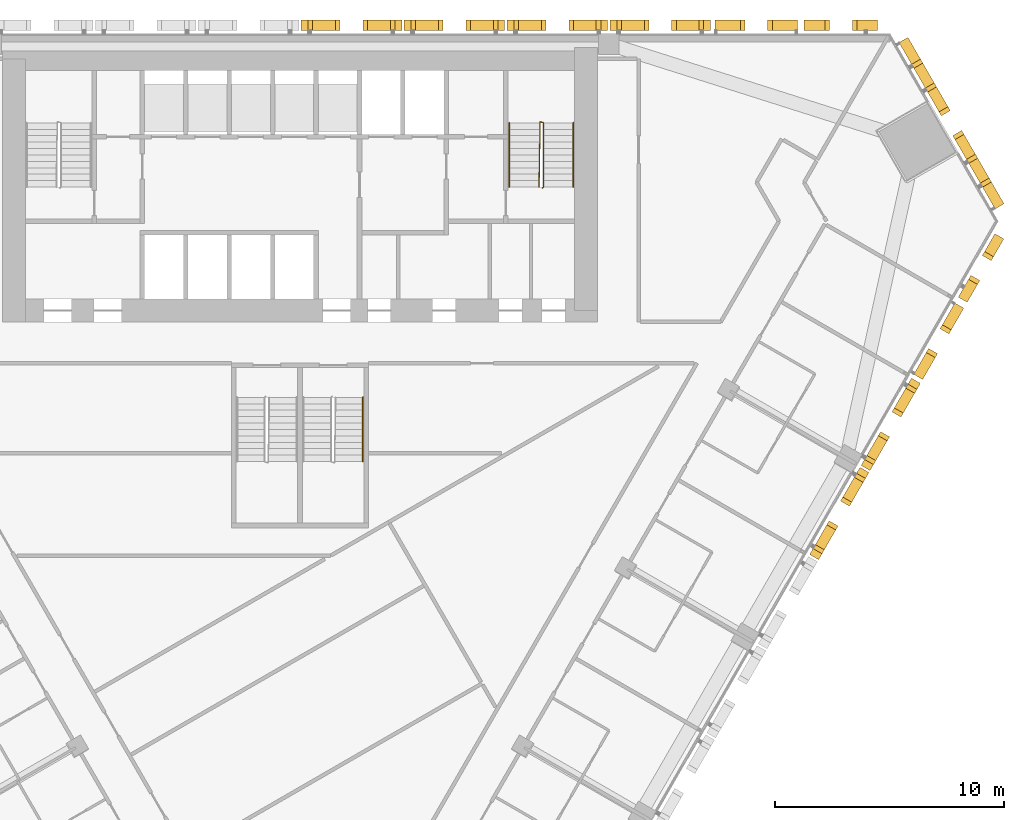
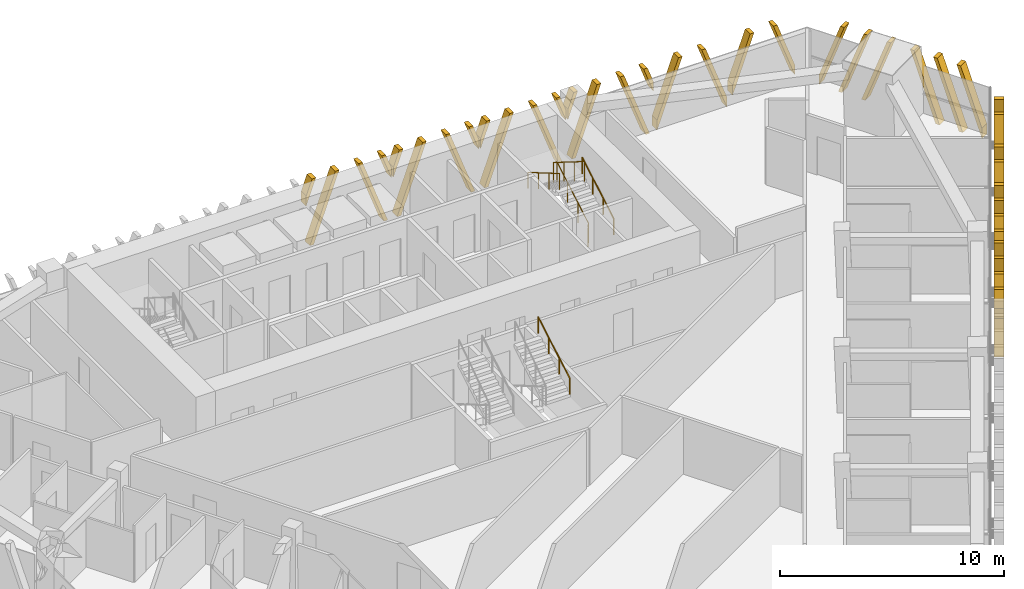
# One storey, part 16 of 17: 11 shading devices, 4 railings.
"""IFC4 building model written with IfcOpenShell, lengths in metres."""

from ifc_helpers import new_model, si_unit, direction, frame, origin, origin_2d, place, context, subcontext, project, spatial, polyline, circle, outline, extrude, source, transform, mapped, material, type_object, element, save


model = new_model("IFC4")

# Units and contexts
model_context = context("Model", 3, precision=1e-05, world=origin(), true_north=direction((0.0, 1.0)))
body_context = subcontext(model_context, "Body", "Model", "MODEL_VIEW")
ifc_project = project(units=[si_unit("LENGTHUNIT", "METRE"), si_unit("AREAUNIT", "SQUARE_METRE"), si_unit("VOLUMEUNIT", "CUBIC_METRE"), si_unit("PLANEANGLEUNIT", "RADIAN"), si_unit("MASSUNIT", "GRAM", prefix="KILO")], contexts=[model_context])

# Site, building, storey
site_placement = place(None, origin())
site = spatial("IfcSite", under=ifc_project, at=site_placement, CompositionType="ELEMENT")
building_placement = place(site_placement, origin())
building = spatial("IfcBuilding", under=site, at=building_placement, Name="Altiplano Prism Tower", CompositionType="ELEMENT")
storey_placement = place(building_placement, frame((0.0, 0.0, 52.199951171875)))
storey = spatial("IfcBuildingStorey", under=building, at=storey_placement, Name="L12", CompositionType="ELEMENT", Elevation=52.199951171875)

# Railings
ifc_material_1 = material(Name="Steel S355", Category="steel")
railing_type_1 = type_object("IfcRailingType", Name="Stair guard 1100", PredefinedType="GUARDRAIL", material=ifc_material_1)
railing_1_placement = place(storey_placement, frame((95.60009765625, 98.25, 0.0)))
element("IfcRailing", 1, at=railing_1_placement, inside=storey, type_object=railing_type_1, Name="L12 ST2 stair guard 1", PredefinedType="GUARDRAIL", context=body_context, shape_type="SweptSolid", body=[
    extrude(circle(Radius=0.02392578125, at=origin_2d()), frame((0.0, 0.0, 1.076171875), z_axis=(0.279546231943, 0.280916556609, 0.91811752648), x_axis=(-0.708833529934, 0.705375805398, 0.0)), (0.0, 0.0, 1.0), 0.17822265625),
    extrude(circle(Radius=0.02392578125, at=origin_2d()), frame((0.0498046875, 0.050048828125, 1.23974609375), z_axis=(0.0, 0.863360870873, 0.504586966384), x_axis=(-1.0, 0.0, 0.0)), (0.0, 0.0, 1.0), 3.2431640625),
    extrude(circle(Radius=0.02392578125, at=origin_2d()), frame((0.0498046875, 2.85009765625, 2.8759765625), z_axis=(-0.948991962702, 0.315300261223, 0.0), x_axis=(-0.315300261223, -0.948991962702, 0.0)), (0.0, 0.0, 1.0), 0.157958984375),
    extrude(circle(Radius=0.02392578125, at=origin_2d()), frame((-0.10009765625, 2.89990234375, 2.8759765625), z_axis=(-0.014846418356, -0.845376787675, 0.533964109957), x_axis=(0.999845825584, -0.017559187376, 0.0)), (0.0, 0.0, 1.0), 3.37109375),
    extrude(circle(Radius=0.02099609375, at=origin_2d()), origin(), (0.0, 0.0, 1.0), 1.052001953125),
    extrude(circle(Radius=0.02099609375, at=origin_2d()), frame((0.0498046875, 0.050048828125, 0.16357421875)), (0.0, 0.0, 1.0), 1.052001953125),
    extrude(circle(Radius=0.02099609375, at=origin_2d()), frame((0.0498046875, 0.9833984375, 0.708984375)), (0.0, 0.0, 1.0), 1.052001953125),
    extrude(circle(Radius=0.02099609375, at=origin_2d()), frame((0.0498046875, 1.916748046875, 1.254638671875)), (0.0, 0.0, 1.0), 1.052001953125),
    extrude(circle(Radius=0.02099609375, at=origin_2d()), frame((0.0498046875, 2.85009765625, 1.800048828125)), (0.0, 0.0, 1.0), 1.052001953125),
    extrude(circle(Radius=0.02099609375, at=origin_2d()), frame((-0.10009765625, 2.89990234375, 1.800048828125)), (0.0, 0.0, 1.0), 1.052001953125),
    extrude(circle(Radius=0.02099609375, at=origin_2d()), frame((-0.11669921875, 1.949951171875, 2.400146484375)), (0.0, 0.0, 1.0), 1.052001953125),
    extrude(circle(Radius=0.02099609375, at=origin_2d()), frame((-0.133544921875, 1.0, 3.0)), (0.0, 0.0, 1.0), 1.052001953125),
    extrude(circle(Radius=0.02099609375, at=origin_2d()), frame((-0.150146484375, 0.050048828125, 3.60009765625)), (0.0, 0.0, 1.0), 1.052001953125),
])
railing_type_2 = type_object("IfcRailingType", Name="Stair handrail 900", PredefinedType="HANDRAIL", material=ifc_material_1)
railing_2_placement = place(storey_placement, frame((96.949951171875, 98.300048828125, 0.16357421875)))
element("IfcRailing", 2, at=railing_2_placement, inside=storey, type_object=railing_type_2, Name="L12 ST2 stair handrail 1", PredefinedType="HANDRAIL", context=body_context, shape_type="SweptSolid", body=[
    extrude(circle(Radius=0.02392578125, at=origin_2d()), frame((0.0, 0.0, 0.8759765625), z_axis=(0.0, 0.863360870873, 0.504586966384), x_axis=(-1.0, 0.0, 0.0)), (0.0, 0.0, 1.0), 3.2431640625),
    extrude(circle(Radius=0.02099609375, at=origin_2d()), origin(), (0.0, 0.0, 1.0), 0.851806640625),
    extrude(circle(Radius=0.02099609375, at=origin_2d()), frame((0.0, 0.933349609375, 0.54541015625)), (0.0, 0.0, 1.0), 0.851806640625),
    extrude(circle(Radius=0.02099609375, at=origin_2d()), frame((0.0, 1.86669921875, 1.091064453125)), (0.0, 0.0, 1.0), 0.851806640625),
    extrude(circle(Radius=0.02099609375, at=origin_2d()), frame((0.0, 2.800048828125, 1.636474609375)), (0.0, 0.0, 1.0), 0.851806640625),
])
railing_3_placement = place(storey_placement, frame((94.14990234375, 101.10009765625, 1.963623046875)))
element("IfcRailing", 3, at=railing_3_placement, inside=storey, type_object=railing_type_2, Name="L12 ST2 stair handrail 2", PredefinedType="HANDRAIL", context=body_context, shape_type="SweptSolid", body=[
    extrude(circle(Radius=0.02392578125, at=origin_2d()), frame((0.0, 0.0, 0.8759765625), z_axis=(0.0, -0.863360870873, 0.504586966384), x_axis=(1.0, 0.0, 0.0)), (0.0, 0.0, 1.0), 3.2431640625),
    extrude(circle(Radius=0.02099609375, at=origin_2d()), origin(), (0.0, 0.0, 1.0), 0.851806640625),
    extrude(circle(Radius=0.02099609375, at=origin_2d()), frame((0.0, -0.933349609375, 0.54541015625)), (0.0, 0.0, 1.0), 0.851806640625),
    extrude(circle(Radius=0.02099609375, at=origin_2d()), frame((0.0, -1.86669921875, 1.091064453125)), (0.0, 0.0, 1.0), 0.851806640625),
    extrude(circle(Radius=0.02099609375, at=origin_2d()), frame((0.0, -2.800048828125, 1.636474609375)), (0.0, 0.0, 1.0), 0.851806640625),
])
railing_4_placement = place(storey_placement, frame((87.75, 86.300048828125, 1.963623046875)))
element("IfcRailing", 4, at=railing_4_placement, inside=storey, type_object=railing_type_2, Name="L12 ST3B stair handrail 2", PredefinedType="HANDRAIL", context=body_context, shape_type="SweptSolid", body=[
    extrude(circle(Radius=0.02392578125, at=origin_2d()), frame((0.0, 0.0, 0.8759765625), z_axis=(0.0, 0.863360870873, 0.504586966384), x_axis=(-1.0, 0.0, 0.0)), (0.0, 0.0, 1.0), 3.2431640625),
    extrude(circle(Radius=0.02099609375, at=origin_2d()), origin(), (0.0, 0.0, 1.0), 0.851806640625),
    extrude(circle(Radius=0.02099609375, at=origin_2d()), frame((0.0, 0.933349609375, 0.54541015625)), (0.0, 0.0, 1.0), 0.851806640625),
    extrude(circle(Radius=0.02099609375, at=origin_2d()), frame((0.0, 1.86669921875, 1.091064453125)), (0.0, 0.0, 1.0), 0.851806640625),
    extrude(circle(Radius=0.02099609375, at=origin_2d()), frame((0.0, 2.800048828125, 1.636474609375)), (0.0, 0.0, 1.0), 0.851806640625),
])

# Shading devices
ifc_material_2 = material(Name="Warm limestone cast stone", Category="masonry")
shading_device_type_1 = type_object("IfcShadingDeviceType", Name="Stone fin panel, narrow closing bay", PredefinedType="USERDEFINED", material=ifc_material_2)
shared_shape_1 = source(origin(), body_context, "Body", "SweptSolid", [
    extrude(outline(polyline([(-1.60009765625, 0.577880859375), (-0.5, 3.60009765625), (-0.699951171875, 3.60009765625), (-1.60009765625, 1.127197265625), (-1.60009765625, 0.577880859375)])), frame((0.0, -0.14990234375, 0.0), z_axis=(0.0, -1.0, 0.0), x_axis=(1.0, 0.0, 0.0)), (0.0, 0.0, 1.0), 0.4501953125),
    extrude(outline(polyline([(1.60009765625, 1.127197265625), (0.699951171875, 3.60009765625), (0.5, 3.60009765625), (1.60009765625, 0.577880859375), (1.60009765625, 1.127197265625)])), frame((0.0, -0.14990234375, 0.0), z_axis=(0.0, -1.0, 0.0), x_axis=(1.0, 0.0, 0.0)), (0.0, 0.0, 1.0), 0.4501953125),
])
shading_device_1_placement = place(storey_placement, origin())
element("IfcShadingDevice", 5, at=shading_device_1_placement, inside=storey, type_object=shading_device_type_1, Name="Fin L12 north face 1", ObjectType="FIN", PredefinedType="USERDEFINED", context=body_context, shape_type="MappedRepresentation", body=[
    mapped(shared_shape_1, transform((108.64404296875, 105.0, -0.5), x_axis=(-1.0, 0.0, 0.0), y_axis=(0.0, -1.0, 0.0), z_axis=(0.0, 0.0, 1.0))),
])
shading_device_2_placement = place(storey_placement, origin())
element("IfcShadingDevice", 6, at=shading_device_2_placement, inside=storey, type_object=shading_device_type_1, Name="Fin L12 south-east face 12", ObjectType="FIN", PredefinedType="USERDEFINED", context=body_context, shape_type="MappedRepresentation", body=[
    mapped(shared_shape_1, transform((114.448486328125, 94.946044921875, -0.5), x_axis=(0.499999990992, 0.866025408985, 0.0), y_axis=(-0.866025408985, 0.499999990992, 0.0), z_axis=(0.0, 0.0, 1.0))),
])
shading_device_type_2 = type_object("IfcShadingDeviceType", Name="Stone fin panel, standard unit", PredefinedType="USERDEFINED", material=ifc_material_2)
shared_shape_2 = source(origin(), body_context, "Body", "SweptSolid", [
    extrude(outline(polyline([(-2.199951171875, 2.226318359375), (-1.699951171875, 3.60009765625), (-1.89990234375, 3.60009765625), (-2.199951171875, 2.77587890625), (-2.199951171875, 2.226318359375)])), frame((0.0, -0.14990234375, 0.0), z_axis=(0.0, -1.0, 0.0), x_axis=(1.0, 0.0, 0.0)), (0.0, 0.0, 1.0), 0.4501953125),
    extrude(outline(polyline([(-2.01025390625, 0.0), (-1.810302734375, 0.0), (-0.5, 3.60009765625), (-0.699951171875, 3.60009765625), (-2.01025390625, 0.0)])), frame((0.0, -0.14990234375, 0.0), z_axis=(0.0, -1.0, 0.0), x_axis=(1.0, 0.0, 0.0)), (0.0, 0.0, 1.0), 0.4501953125),
    extrude(outline(polyline([(1.810302734375, 0.0), (2.01025390625, 0.0), (0.699951171875, 3.60009765625), (0.5, 3.60009765625), (1.810302734375, 0.0)])), frame((0.0, -0.14990234375, 0.0), z_axis=(0.0, -1.0, 0.0), x_axis=(1.0, 0.0, 0.0)), (0.0, 0.0, 1.0), 0.4501953125),
    extrude(outline(polyline([(2.199951171875, 2.77587890625), (1.89990234375, 3.60009765625), (1.699951171875, 3.60009765625), (2.199951171875, 2.226318359375), (2.199951171875, 2.77587890625)])), frame((0.0, -0.14990234375, 0.0), z_axis=(0.0, -1.0, 0.0), x_axis=(1.0, 0.0, 0.0)), (0.0, 0.0, 1.0), 0.4501953125),
])
shading_device_3_placement = place(storey_placement, origin())
element("IfcShadingDevice", 7, at=shading_device_3_placement, inside=storey, type_object=shading_device_type_2, Name="Fin L12 north face 3", ObjectType="FIN", PredefinedType="USERDEFINED", context=body_context, shape_type="MappedRepresentation", body=[
    mapped(shared_shape_2, transform((100.75, 105.0, -0.5), x_axis=(-1.0, 0.0, 0.0), y_axis=(0.0, -1.0, 0.0), z_axis=(0.0, 0.0, 1.0))),
])
shading_device_4_placement = place(storey_placement, origin())
element("IfcShadingDevice", 8, at=shading_device_4_placement, inside=storey, type_object=shading_device_type_2, Name="Fin L12 north face 4", ObjectType="FIN", PredefinedType="USERDEFINED", context=body_context, shape_type="MappedRepresentation", body=[
    mapped(shared_shape_2, transform((96.25, 105.0, -0.5), x_axis=(-1.0, 0.0, 0.0), y_axis=(0.0, -1.0, 0.0), z_axis=(0.0, 0.0, 1.0))),
])
shading_device_5_placement = place(storey_placement, origin())
element("IfcShadingDevice", 9, at=shading_device_5_placement, inside=storey, type_object=shading_device_type_2, Name="Fin L12 north face 5", ObjectType="FIN", PredefinedType="USERDEFINED", context=body_context, shape_type="MappedRepresentation", body=[
    mapped(shared_shape_2, transform((91.75, 105.0, -0.5), x_axis=(-1.0, 0.0, 0.0), y_axis=(0.0, -1.0, 0.0), z_axis=(0.0, 0.0, 1.0))),
])
shading_device_6_placement = place(storey_placement, origin())
element("IfcShadingDevice", 10, at=shading_device_6_placement, inside=storey, type_object=shading_device_type_2, Name="Fin L12 north face 6", ObjectType="FIN", PredefinedType="USERDEFINED", context=body_context, shape_type="MappedRepresentation", body=[
    mapped(shared_shape_2, transform((87.25, 105.0, -0.5), x_axis=(-1.0, 0.0, 0.0), y_axis=(0.0, -1.0, 0.0), z_axis=(0.0, 0.0, 1.0))),
])
shading_device_7_placement = place(storey_placement, origin())
element("IfcShadingDevice", 11, at=shading_device_7_placement, inside=storey, type_object=shading_device_type_2, Name="Fin L12 south-east face 9", ObjectType="FIN", PredefinedType="USERDEFINED", context=body_context, shape_type="MappedRepresentation", body=[
    mapped(shared_shape_2, transform((108.251708984375, 84.212646484375, -0.5), x_axis=(0.499999990992, 0.866025408985, 0.0), y_axis=(-0.866025408985, 0.499999990992, 0.0), z_axis=(0.0, 0.0, 1.0))),
])
shading_device_8_placement = place(storey_placement, origin())
element("IfcShadingDevice", 12, at=shading_device_8_placement, inside=storey, type_object=shading_device_type_2, Name="Fin L12 south-east face 10", ObjectType="FIN", PredefinedType="USERDEFINED", context=body_context, shape_type="MappedRepresentation", body=[
    mapped(shared_shape_2, transform((110.501708984375, 88.109619140625, -0.5), x_axis=(0.499999990992, 0.866025408985, 0.0), y_axis=(-0.866025408985, 0.499999990992, 0.0), z_axis=(0.0, 0.0, 1.0))),
])
shared_shape_3 = source(origin(), body_context, "Body", "SweptSolid", [
    extrude(outline(polyline([(-1.800048828125, 0.0283203125), (-0.5, 3.60009765625), (-0.699951171875, 3.60009765625), (-1.800048828125, 0.577880859375), (-1.800048828125, 0.0283203125)])), frame((0.0, -0.14990234375, 0.0), z_axis=(0.0, -1.0, 0.0), x_axis=(1.0, 0.0, 0.0)), (0.0, 0.0, 1.0), 0.4501953125),
    extrude(outline(polyline([(1.800048828125, 0.577880859375), (0.699951171875, 3.60009765625), (0.5, 3.60009765625), (1.800048828125, 0.0283203125), (1.800048828125, 0.577880859375)])), frame((0.0, -0.14990234375, 0.0), z_axis=(0.0, -1.0, 0.0), x_axis=(1.0, 0.0, 0.0)), (0.0, 0.0, 1.0), 0.4501953125),
])
shading_device_9_placement = place(storey_placement, origin())
element("IfcShadingDevice", 13, at=shading_device_9_placement, inside=storey, type_object=shading_device_type_1, Name="Fin L12 north face 2", ObjectType="FIN", PredefinedType="USERDEFINED", context=body_context, shape_type="MappedRepresentation", body=[
    mapped(shared_shape_3, transform((104.947998046875, 105.0, -0.5), x_axis=(-1.0, 0.0, 0.0), y_axis=(0.0, -1.0, 0.0), z_axis=(0.0, 0.0, 1.0))),
])
shading_device_10_placement = place(storey_placement, origin())
element("IfcShadingDevice", 14, at=shading_device_10_placement, inside=storey, type_object=shading_device_type_1, Name="Fin L12 south-east face 11", ObjectType="FIN", PredefinedType="USERDEFINED", context=body_context, shape_type="MappedRepresentation", body=[
    mapped(shared_shape_3, transform((112.6005859375, 91.745361328125, -0.5), x_axis=(0.499999990992, 0.866025408985, 0.0), y_axis=(-0.866025408985, 0.499999990992, 0.0), z_axis=(0.0, 0.0, 1.0))),
])
shading_device_type_3 = type_object("IfcShadingDeviceType", Name="Stone fin panel, chamfer unit", PredefinedType="USERDEFINED", material=ifc_material_2)
shared_shape_4 = source(origin(), body_context, "Body", "SweptSolid", [
    extrude(outline(polyline([(-4.199951171875, 0.0283203125), (-2.89990234375, 3.60009765625), (-3.10009765625, 3.60009765625), (-4.199951171875, 0.577880859375), (-4.199951171875, 0.0283203125)])), frame((0.0, -0.14990234375, 0.0), z_axis=(0.0, -1.0, 0.0), x_axis=(1.0, 0.0, 0.0)), (0.0, 0.0, 1.0), 0.4501953125),
    extrude(outline(polyline([(-3.210205078125, 0.0), (-3.01025390625, 0.0), (-1.699951171875, 3.60009765625), (-1.89990234375, 3.60009765625), (-3.210205078125, 0.0)])), frame((0.0, -0.14990234375, 0.0), z_axis=(0.0, -1.0, 0.0), x_axis=(1.0, 0.0, 0.0)), (0.0, 0.0, 1.0), 0.4501953125),
    extrude(outline(polyline([(-2.01025390625, 0.0), (-1.810302734375, 0.0), (-0.5, 3.60009765625), (-0.699951171875, 3.60009765625), (-2.01025390625, 0.0)])), frame((0.0, -0.14990234375, 0.0), z_axis=(0.0, -1.0, 0.0), x_axis=(1.0, 0.0, 0.0)), (0.0, 0.0, 1.0), 0.4501953125),
    extrude(outline(polyline([(1.810302734375, 0.0), (2.01025390625, 0.0), (0.699951171875, 3.60009765625), (0.5, 3.60009765625), (1.810302734375, 0.0)])), frame((0.0, -0.14990234375, 0.0), z_axis=(0.0, -1.0, 0.0), x_axis=(1.0, 0.0, 0.0)), (0.0, 0.0, 1.0), 0.4501953125),
    extrude(outline(polyline([(3.01025390625, 0.0), (3.210205078125, 0.0), (1.89990234375, 3.60009765625), (1.699951171875, 3.60009765625), (3.01025390625, 0.0)])), frame((0.0, -0.14990234375, 0.0), z_axis=(0.0, -1.0, 0.0), x_axis=(1.0, 0.0, 0.0)), (0.0, 0.0, 1.0), 0.4501953125),
    extrude(outline(polyline([(4.199951171875, 0.577880859375), (3.10009765625, 3.60009765625), (2.89990234375, 3.60009765625), (4.199951171875, 0.0283203125), (4.199951171875, 0.577880859375)])), frame((0.0, -0.14990234375, 0.0), z_axis=(0.0, -1.0, 0.0), x_axis=(1.0, 0.0, 0.0)), (0.0, 0.0, 1.0), 0.4501953125),
])
shading_device_11_placement = place(storey_placement, origin())
element("IfcShadingDevice", 15, at=shading_device_11_placement, inside=storey, type_object=shading_device_type_3, Name="Fin L12 north-east chamfer 1", ObjectType="FIN", PredefinedType="USERDEFINED", context=body_context, shape_type="MappedRepresentation", body=[
    mapped(shared_shape_4, transform((113.1572265625, 100.903076171875, -0.5), x_axis=(-0.500000055013, 0.866025372023, 0.0), y_axis=(-0.866025372023, -0.500000055013, 0.0), z_axis=(0.0, 0.0, 1.0))),
])

save(model, "model.ifc")
